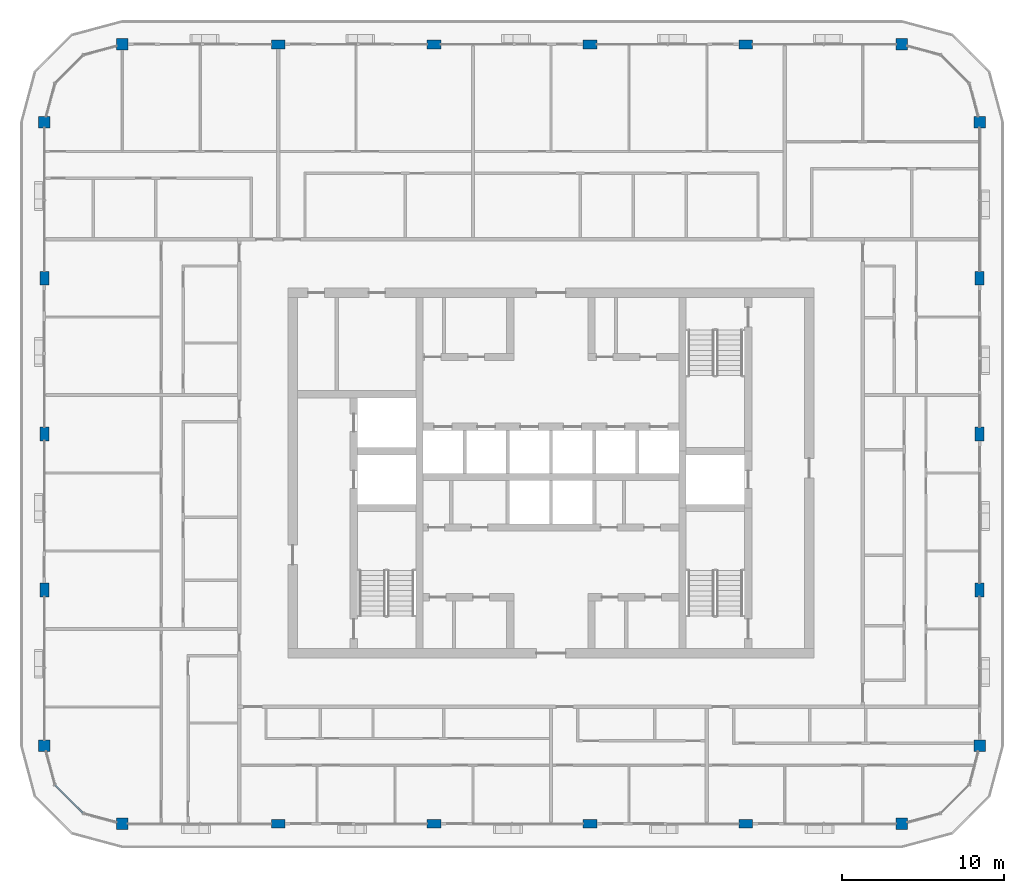
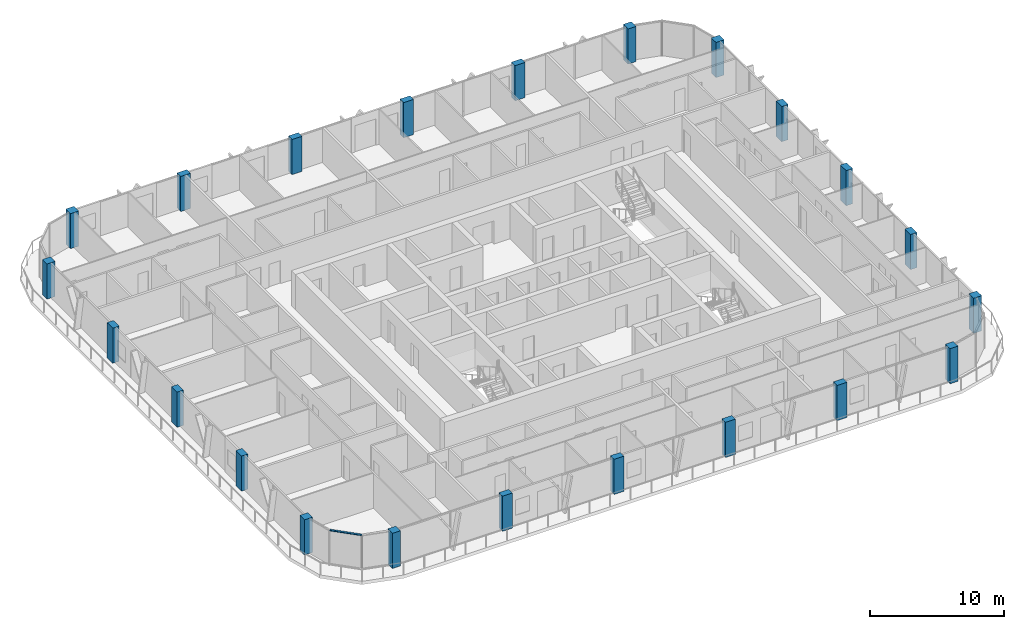
# One storey, part 1 of 21: 22 columns, 1 member, 1 element without a shape of its own.
"""IFC4 building model written with IfcOpenShell, lengths in metres."""

from ifc_helpers import new_model, si_unit, direction, frame, origin, origin_2d, place, context, subcontext, project, spatial, rectangle, extrude, material, layer, layer_set, material_profile, profile_set, type_object, element, aggregate, save


model = new_model("IFC4")

# Units and contexts
model_context = context("Model", 3, precision=1e-05, world=origin(), true_north=direction((0.0, 1.0)))
body_context = subcontext(model_context, "Body", "Model", "MODEL_VIEW")
ifc_project = project(units=[si_unit("LENGTHUNIT", "METRE"), si_unit("AREAUNIT", "SQUARE_METRE"), si_unit("VOLUMEUNIT", "CUBIC_METRE"), si_unit("PLANEANGLEUNIT", "RADIAN"), si_unit("MASSUNIT", "GRAM", prefix="KILO")], contexts=[model_context])

# Site, building, storey
site_placement = place(None, origin())
site = spatial("IfcSite", under=ifc_project, at=site_placement, CompositionType="ELEMENT")
building_placement = place(site_placement, origin())
building = spatial("IfcBuilding", under=site, at=building_placement, Name="Madar Terraces", CompositionType="ELEMENT")
storey_placement = place(building_placement, frame((0.0, 0.0, 245.699951171875)))
storey = spatial("IfcBuildingStorey", under=building, at=storey_placement, Name="L64", CompositionType="ELEMENT", Elevation=245.699951171875)

# Columns
ifc_material_1 = material(Name="Concrete C55/67", Category="concrete")
ifc_material_profile_1 = material_profile(ifc_material_1, rectangle(XDim=0.85009765625, YDim=0.550048828125, at=origin_2d()), Name="CC5 RC 850x550")
ifc_profile_set_1 = profile_set([ifc_material_profile_1], Name="Concrete C55/67")
column_type_1 = type_object("IfcColumnType", Name="CC5 RC 850x550", PredefinedType="COLUMN", material=ifc_profile_set_1)
for number, where, z_axis, x_axis, name in (
    (1, (14.39990234375, 4.800048828125, 0.0), (0.0, 0.0, 1.0), (1.0, 0.0, 0.0), "Perimeter column S2"),
    (2, (24.0, 4.800048828125, 0.0), (0.0, 0.0, 1.0), (1.0, 0.0, 0.0), "Perimeter column S3"),
    (3, (33.60009765625, 4.800048828125, 0.0), (0.0, 0.0, 1.0), (1.0, 0.0, 0.0), "Perimeter column S4"),
    (4, (43.199951171875, 4.800048828125, 0.0), (0.0, 0.0, 1.0), (1.0, 0.0, 0.0), "Perimeter column S5"),
    (5, (57.60009765625, 19.199951171875, 0.0), (0.0, 0.0, 1.0), (0.0, 1.0, 0.0), "Perimeter column E2"),
    (6, (57.60009765625, 28.800048828125, 0.0), (0.0, 0.0, 1.0), (0.0, 1.0, 0.0), "Perimeter column E3"),
    (7, (57.60009765625, 38.39990234375, 0.0), (0.0, 0.0, 1.0), (0.0, 1.0, 0.0), "Perimeter column E4"),
    (8, (43.199951171875, 52.800048828125, 0.0), (0.0, 0.0, 1.0), (1.0, 0.0, 0.0), "Perimeter column N2"),
    (9, (33.60009765625, 52.800048828125, 0.0), (0.0, 0.0, 1.0), (1.0, 0.0, 0.0), "Perimeter column N3"),
    (10, (24.0, 52.800048828125, 0.0), (0.0, 0.0, 1.0), (1.0, 0.0, 0.0), "Perimeter column N4"),
    (11, (14.39990234375, 52.800048828125, 0.0), (0.0, 0.0, 1.0), (1.0, 0.0, 0.0), "Perimeter column N5"),
    (12, (0.0, 38.39990234375, 0.0), (0.0, 0.0, 1.0), (0.0, 1.0, 0.0), "Perimeter column W2"),
    (13, (0.0, 28.800048828125, 0.0), (0.0, 0.0, 1.0), (0.0, 1.0, 0.0), "Perimeter column W3"),
    (14, (0.0, 19.199951171875, 0.0), (0.0, 0.0, 1.0), (0.0, 1.0, 0.0), "Perimeter column W4"),
):
    element("IfcColumn", number, at=place(storey_placement, frame(where, z_axis=z_axis, x_axis=x_axis)), inside=storey, type_object=column_type_1, Name=name, PredefinedType="COLUMN", context=body_context, shape_type="SweptSolid", body=[
        extrude(rectangle(XDim=0.85009765625, YDim=0.550048828125, at=origin_2d()), origin(), (0.0, 0.0, 1.0), 3.199951171875),
    ])
ifc_material_2 = material(Name="Concrete C55/67", Category="concrete")
ifc_material_profile_2 = material_profile(ifc_material_2, rectangle(XDim=0.699951171875, YDim=0.699951171875, at=origin_2d()), Name="KC5 RC 700x700")
ifc_profile_set_2 = profile_set([ifc_material_profile_2], Name="Concrete C55/67")
column_type_2 = type_object("IfcColumnType", Name="KC5 RC 700x700", PredefinedType="COLUMN", material=ifc_profile_set_2)
for number, where, z_axis, x_axis, name in (
    (15, (4.800048828125, 4.800048828125, 0.0), (0.0, 0.0, 1.0), (1.0, 0.0, 0.0), "Perimeter column S1"),
    (16, (52.800048828125, 4.800048828125, 0.0), (0.0, 0.0, 1.0), (1.0, 0.0, 0.0), "Perimeter column S6"),
    (17, (57.60009765625, 9.60009765625, 0.0), (0.0, 0.0, 1.0), (1.0, 0.0, 0.0), "Perimeter column E1"),
    (18, (57.60009765625, 48.0, 0.0), (0.0, 0.0, 1.0), (1.0, 0.0, 0.0), "Perimeter column E5"),
    (19, (52.800048828125, 52.800048828125, 0.0), (0.0, 0.0, 1.0), (1.0, 0.0, 0.0), "Perimeter column N1"),
    (20, (4.800048828125, 52.800048828125, 0.0), (0.0, 0.0, 1.0), (1.0, 0.0, 0.0), "Perimeter column N6"),
    (21, (0.0, 48.0, 0.0), (0.0, 0.0, 1.0), (1.0, 0.0, 0.0), "Perimeter column W1"),
    (22, (0.0, 9.60009765625, 0.0), (0.0, 0.0, 1.0), (1.0, 0.0, 0.0), "Perimeter column W5"),
):
    element("IfcColumn", number, at=place(storey_placement, frame(where, z_axis=z_axis, x_axis=x_axis)), inside=storey, type_object=column_type_2, Name=name, PredefinedType="COLUMN", context=body_context, shape_type="SweptSolid", body=[
        extrude(rectangle(XDim=0.699951171875, YDim=0.699951171875, at=origin_2d()), origin(), (0.0, 0.0, 1.0), 3.199951171875),
    ])

# Curtain wall, member
ifc_material_3 = material(Name="Glass, ceramic frit dark grey, with black aluminium frame", Category="aluminium")
ifc_layer = layer(ifc_material_3, 0.199951171875)
ifc_layer_set = layer_set([ifc_layer], Name="Facade curtain wall, fritted glass")
curtain_wall_type = type_object("IfcCurtainWallType", Name="Facade curtain wall, fritted glass", PredefinedType="NOTDEFINED", material=ifc_layer_set)
curtain_wall_placement = place(storey_placement, origin())
curtain_wall = element("IfcCurtainWall", 23, at=curtain_wall_placement, inside=storey, type_object=curtain_wall_type, Name="Outer skin curtain wall south-west corner", PredefinedType="NOTDEFINED")
ifc_material_4 = material(Name="Aluminium, black anodised", Category="aluminium")
ifc_material_profile_3 = material_profile(ifc_material_4, rectangle(XDim=0.1201171875, YDim=0.06005859375, at=origin_2d()), Name="Facade transom 60x120")
ifc_profile_set_3 = profile_set([ifc_material_profile_3], Name="Aluminium, black anodised")
member_type = type_object("IfcMemberType", Name="Facade transom 60x120", PredefinedType="USERDEFINED", material=ifc_profile_set_3)
member_placement = place(storey_placement, frame((0.664306640625, 7.1787109375, 3.170166015625), z_axis=(0.707157125196, -0.707056433593, 0.0), x_axis=(0.707056433593, 0.707157125196, 0.0)))
member = element("IfcMember", 24, at=member_placement, type_object=member_type, Name="Transom 2", ObjectType="TRANSOM", PredefinedType="USERDEFINED", context=body_context, shape_type="SweptSolid", body=[
    extrude(rectangle(XDim=0.1201171875, YDim=0.06005859375, at=origin_2d()), origin(), (0.0, 0.0, 1.0), 2.424560546875),
])
aggregate(curtain_wall, [member])

save(model, "model.ifc")
